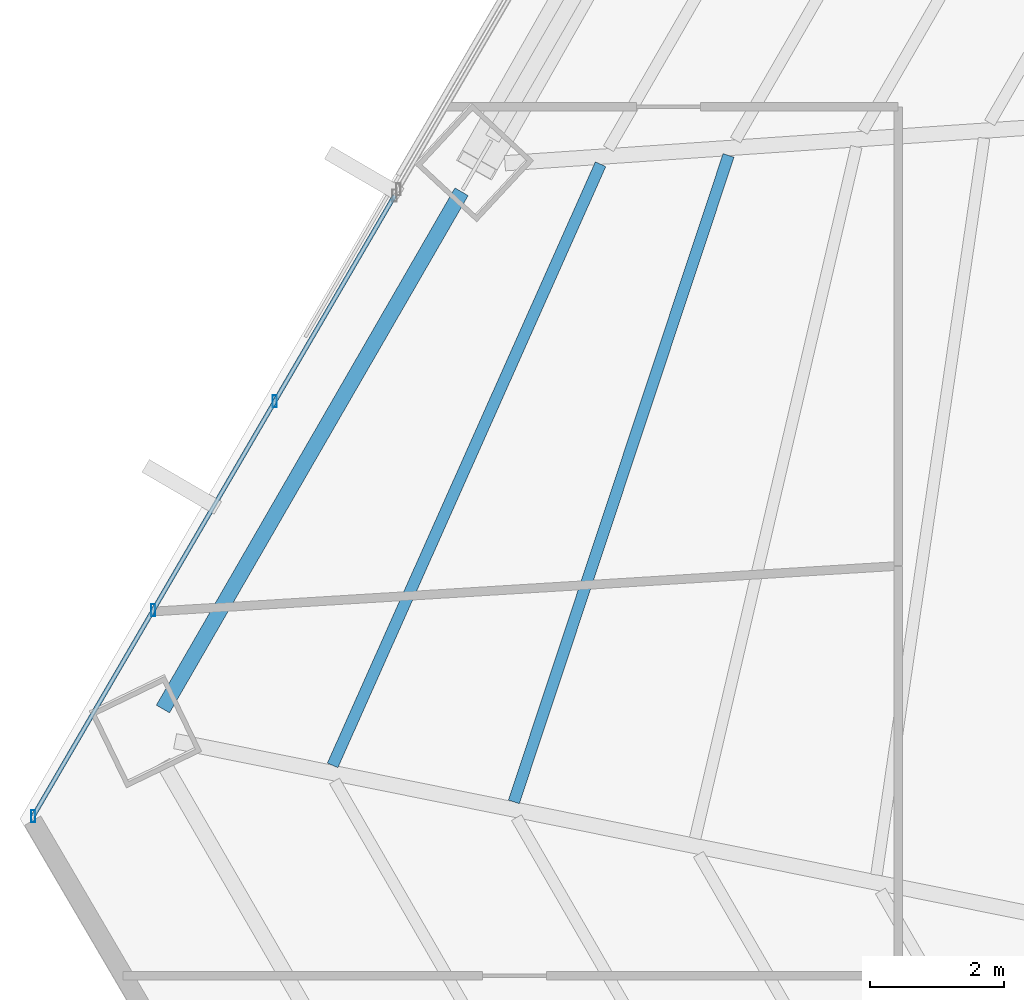
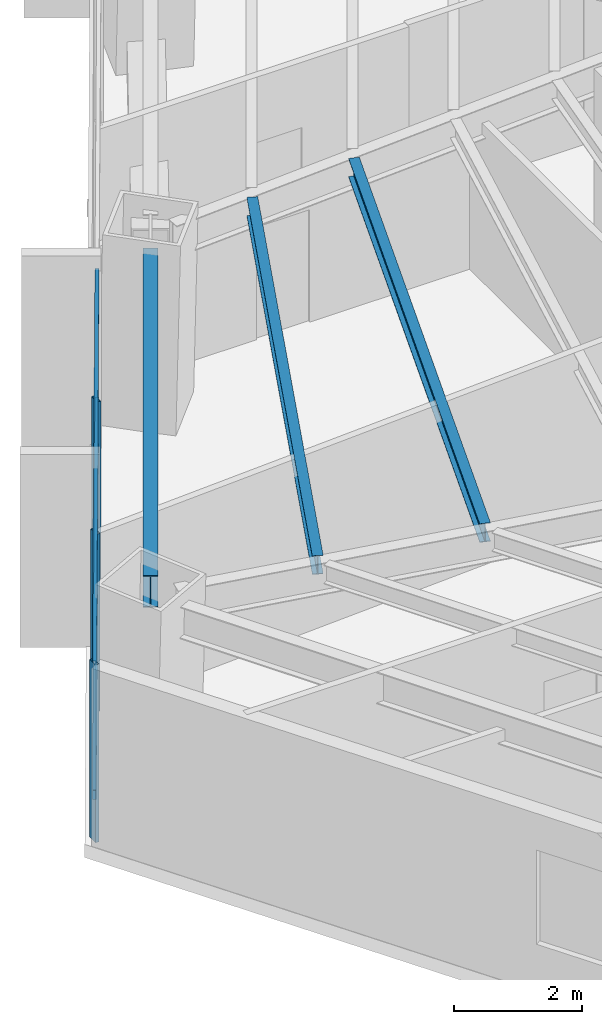
# One storey, part 8 of 33: 5 members, 3 beams, 1 element without a shape of its own.
"""IFC4 building model written with IfcOpenShell, lengths in metres."""

from ifc_helpers import new_model, si_unit, direction, frame, origin, origin_2d, place, context, subcontext, project, spatial, hollow_rectangle, i_section, extrude, source, transform, mapped, material, material_profile, profile_set, type_object, type_shapes, element, aggregate, save


model = new_model("IFC4")

# Units and contexts
model_context = context("Model", 3, precision=1e-05, world=origin(), true_north=direction((0.0, 1.0)))
body_context = subcontext(model_context, "Body", "Model", "MODEL_VIEW")
ifc_project = project(units=[si_unit("LENGTHUNIT", "METRE"), si_unit("AREAUNIT", "SQUARE_METRE"), si_unit("VOLUMEUNIT", "CUBIC_METRE"), si_unit("PLANEANGLEUNIT", "RADIAN"), si_unit("MASSUNIT", "GRAM", prefix="KILO")], contexts=[model_context])

# Site, building, storey
site_placement = place(None, origin())
site = spatial("IfcSite", under=ifc_project, at=site_placement, CompositionType="ELEMENT")
building_placement = place(site_placement, origin())
building = spatial("IfcBuilding", under=site, at=building_placement, Name="Caelisora Broadcast Tower", CompositionType="ELEMENT")
storey_placement = place(building_placement, frame((0.0, 0.0, 34.89990234375)))
storey = spatial("IfcBuildingStorey", under=building, at=storey_placement, Name="L08", CompositionType="ELEMENT", Elevation=34.89990234375)

# Beams
ifc_material_1 = material(Name="Steel Grade 350 (AS/NZS 3679.1)", Category="steel")
ifc_material_profile_1 = material_profile(ifc_material_1, i_section(OverallWidth=0.22900390625, OverallDepth=0.611572265625, WebThickness=0.011962890625, FlangeThickness=0.01953125, at=origin_2d()), Name="Steel Grade 350 (AS/NZS 3679.1)")
ifc_profile_set_1 = profile_set([ifc_material_profile_1], Name="Steel Grade 350 (AS/NZS 3679.1)")
beam_type_1 = type_object("IfcBeamType", Name="PG03", PredefinedType="BEAM", material=ifc_profile_set_1)
shared_shape_1 = source(origin(), body_context, "Body", "SweptSolid", [
    extrude(i_section(OverallWidth=0.22900390625, OverallDepth=0.611572265625, WebThickness=0.011962890625, FlangeThickness=0.01953125, at=origin_2d()), origin(), (0.0, 0.0, 1.0), 8.933349609375),
])
type_shapes(beam_type_1, [shared_shape_1])
beam_1_placement = place(storey_placement, frame((18.86669921875, 28.82666015625, 3.09423828125), z_axis=(-0.499986622046, -0.866033127412, 0.0), x_axis=(0.866033127412, -0.499986622046, 0.0)))
element("IfcBeam", 1, at=beam_1_placement, inside=storey, type_object=beam_type_1, Name="L08 beam PG03", PredefinedType="BEAM", context=body_context, shape_type="MappedRepresentation", body=[
    mapped(shared_shape_1, transform((0.0, 0.0, 0.0), scale=1.0)),
])
ifc_material_profile_2 = material_profile(ifc_material_1, i_section(OverallWidth=0.172119140625, OverallDepth=0.358642578125, WebThickness=0.008056640625, FlangeThickness=0.012939453125, at=origin_2d()), Name="Steel Grade 350 (AS/NZS 3679.1)")
ifc_profile_set_2 = profile_set([ifc_material_profile_2], Name="Steel Grade 350 (AS/NZS 3679.1)")
beam_type_2 = type_object("IfcBeamType", Name="SB02", PredefinedType="JOIST", material=ifc_profile_set_2)
shared_shape_2 = source(origin(), body_context, "Body", "SweptSolid", [
    extrude(i_section(OverallWidth=0.172119140625, OverallDepth=0.358642578125, WebThickness=0.008056640625, FlangeThickness=0.012939453125, at=origin_2d()), origin(), (0.0, 0.0, 1.0), 10.18798828125),
])
beam_2_placement = place(storey_placement, frame((22.860107421875, 29.369384765625, 3.220703125), z_axis=(-0.315213935705, -0.949020639785, 0.0), x_axis=(0.949020639785, -0.315213935705, 0.0)))
element("IfcBeam", 2, at=beam_2_placement, inside=storey, type_object=beam_type_2, Name="L08 beam SB02", PredefinedType="JOIST", context=body_context, shape_type="MappedRepresentation", body=[
    mapped(shared_shape_2, transform((0.0, 0.0, 0.0), scale=1.0)),
])
shared_shape_3 = source(origin(), body_context, "Body", "SweptSolid", [
    extrude(i_section(OverallWidth=0.172119140625, OverallDepth=0.358642578125, WebThickness=0.008056640625, FlangeThickness=0.012939453125, at=origin_2d()), origin(), (0.0, 0.0, 1.0), 9.8447265625),
])
type_shapes(beam_type_2, [shared_shape_2, shared_shape_3])
beam_3_placement = place(storey_placement, frame((20.946044921875, 29.239013671875, 3.220703125), z_axis=(-0.407104643068, -0.913381524661, 0.0), x_axis=(0.913381524661, -0.407104643068, 0.0)))
element("IfcBeam", 3, at=beam_3_placement, inside=storey, type_object=beam_type_2, Name="L08 beam SB02", PredefinedType="JOIST", context=body_context, shape_type="MappedRepresentation", body=[
    mapped(shared_shape_3, transform((0.0, 0.0, 0.0), scale=1.0)),
])

# Curtain wall, members
ifc_material_2 = material(Name="Unitised Aluminium and Low-E Glass Curtain Wall", Category="glass")
curtain_wall_type = type_object("IfcCurtainWallType", Name="CW-Z1", PredefinedType="NOTDEFINED", material=ifc_material_2)
curtain_wall_placement = place(storey_placement, origin())
curtain_wall = element("IfcCurtainWall", 4, at=curtain_wall_placement, inside=storey, type_object=curtain_wall_type, Name="L08 curtain wall CW-Z1", PredefinedType="NOTDEFINED")
ifc_material_3 = material(Name="Aluminium 6063-T6 Anodised Terracotta Bronze", Category="aluminium")
ifc_material_profile_3 = material_profile(ifc_material_3, hollow_rectangle(XDim=0.06494140625, YDim=0.179931640625, WallThickness=0.00341796875, at=origin_2d()), Name="Aluminium 6063-T6 Anodised Terracotta Bronze")
ifc_profile_set_3 = profile_set([ifc_material_profile_3], Name="Aluminium 6063-T6 Anodised Terracotta Bronze")
member_type_1 = type_object("IfcMemberType", Name="CWM-02", PredefinedType="MULLION", material=ifc_profile_set_3)
shared_shape_4 = source(origin(), body_context, "Body", "SweptSolid", [
    extrude(hollow_rectangle(XDim=0.06494140625, YDim=0.179931640625, WallThickness=0.00341796875, at=origin_2d()), origin(), (0.0, 0.0, 1.0), 3.400146484375),
])
type_shapes(member_type_1, [shared_shape_4])
member_1_placement = place(storey_placement, frame((12.461181640625, 19.4892578125, 0.0), z_axis=(0.0, 0.0, 1.0), x_axis=(1.0, 0.0, 0.0)))
member_1 = element("IfcMember", 5, at=member_1_placement, type_object=member_type_1, Name="L08-CW-B09 mullion #0", PredefinedType="MULLION", context=body_context, shape_type="MappedRepresentation", body=[
    mapped(shared_shape_4, transform((0.0, 0.0, 0.0), scale=1.0)),
])
member_2_placement = place(storey_placement, frame((14.25439453125, 22.56787109375, 0.0), z_axis=(0.0, 0.0, 1.0), x_axis=(1.0, 0.0, 0.0)))
member_2 = element("IfcMember", 6, at=member_2_placement, type_object=member_type_1, Name="L08-CW-B09 mullion #1", PredefinedType="MULLION", context=body_context, shape_type="MappedRepresentation", body=[
    mapped(shared_shape_4, transform((0.0, 0.0, 0.0), scale=1.0)),
])
member_3_placement = place(storey_placement, frame((16.072509765625, 25.68994140625, 0.0), z_axis=(0.0, 0.0, 1.0), x_axis=(1.0, 0.0, 0.0)))
member_3 = element("IfcMember", 7, at=member_3_placement, type_object=member_type_1, Name="L08-CW-B09 mullion #2", PredefinedType="MULLION", context=body_context, shape_type="MappedRepresentation", body=[
    mapped(shared_shape_4, transform((0.0, 0.0, 0.0), scale=1.0)),
])
ifc_material_profile_4 = material_profile(ifc_material_3, hollow_rectangle(XDim=0.06494140625, YDim=0.179931640625, WallThickness=0.00341796875, at=origin_2d()), Name="Aluminium 6063-T6 Anodised Terracotta Bronze")
ifc_profile_set_4 = profile_set([ifc_material_profile_4], Name="Aluminium 6063-T6 Anodised Terracotta Bronze")
member_type_2 = type_object("IfcMemberType", Name="CWT-01", PredefinedType="USERDEFINED", material=ifc_profile_set_4)
shared_shape_5 = source(origin(), body_context, "Body", "SweptSolid", [
    extrude(hollow_rectangle(XDim=0.06494140625, YDim=0.179931640625, WallThickness=0.00341796875, at=origin_2d()), origin(), (0.0, 0.0, 1.0), 10.738525390625),
])
type_shapes(member_type_2, [shared_shape_5])
member_4_placement = place(storey_placement, frame((12.461181640625, 19.4892578125, 0.85009765625), z_axis=(0.503288513621, 0.86411843636, 0.0), x_axis=(-0.86411843636, 0.503288513621, 0.0)))
member_4 = element("IfcMember", 8, at=member_4_placement, type_object=member_type_2, Name="L08-CW-B09 transom #1", ObjectType="TRANSOM", PredefinedType="USERDEFINED", context=body_context, shape_type="MappedRepresentation", body=[
    mapped(shared_shape_5, transform((0.0, 0.0, 0.0), scale=1.0)),
])
member_5_placement = place(storey_placement, frame((12.461181640625, 19.4892578125, 3.320068359375), z_axis=(0.503288513621, 0.86411843636, 0.0), x_axis=(-0.86411843636, 0.503288513621, 0.0)))
member_5 = element("IfcMember", 9, at=member_5_placement, type_object=member_type_2, Name="L08-CW-B09 transom #2", ObjectType="TRANSOM", PredefinedType="USERDEFINED", context=body_context, shape_type="MappedRepresentation", body=[
    mapped(shared_shape_5, transform((0.0, 0.0, 0.0), scale=1.0)),
])
aggregate(curtain_wall, [member_1, member_2, member_3, member_4, member_5])

save(model, "model.ifc")
